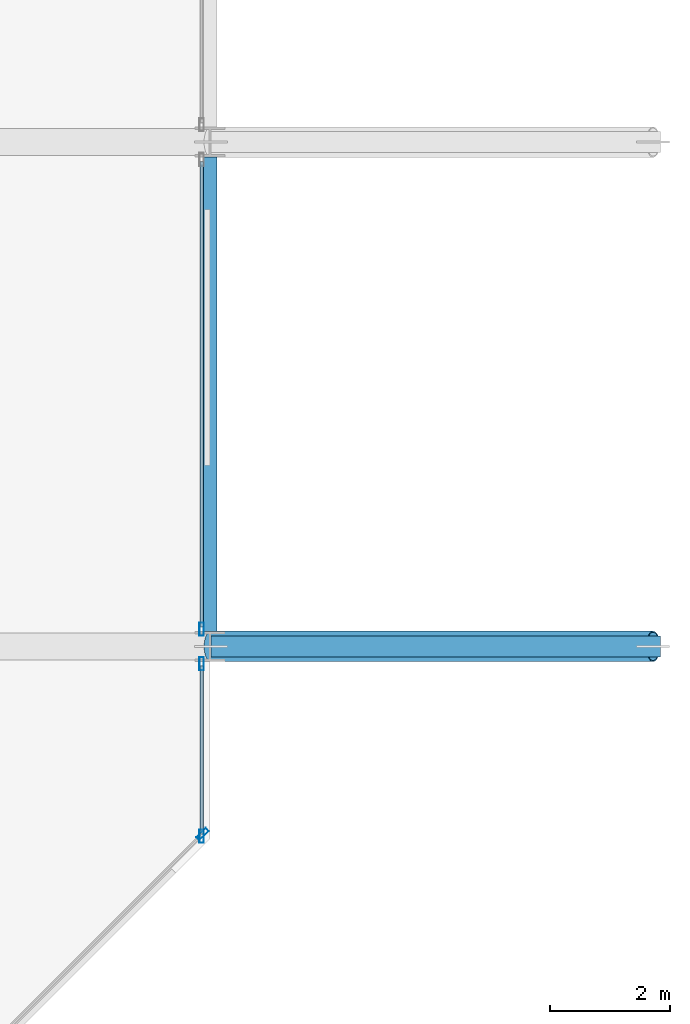
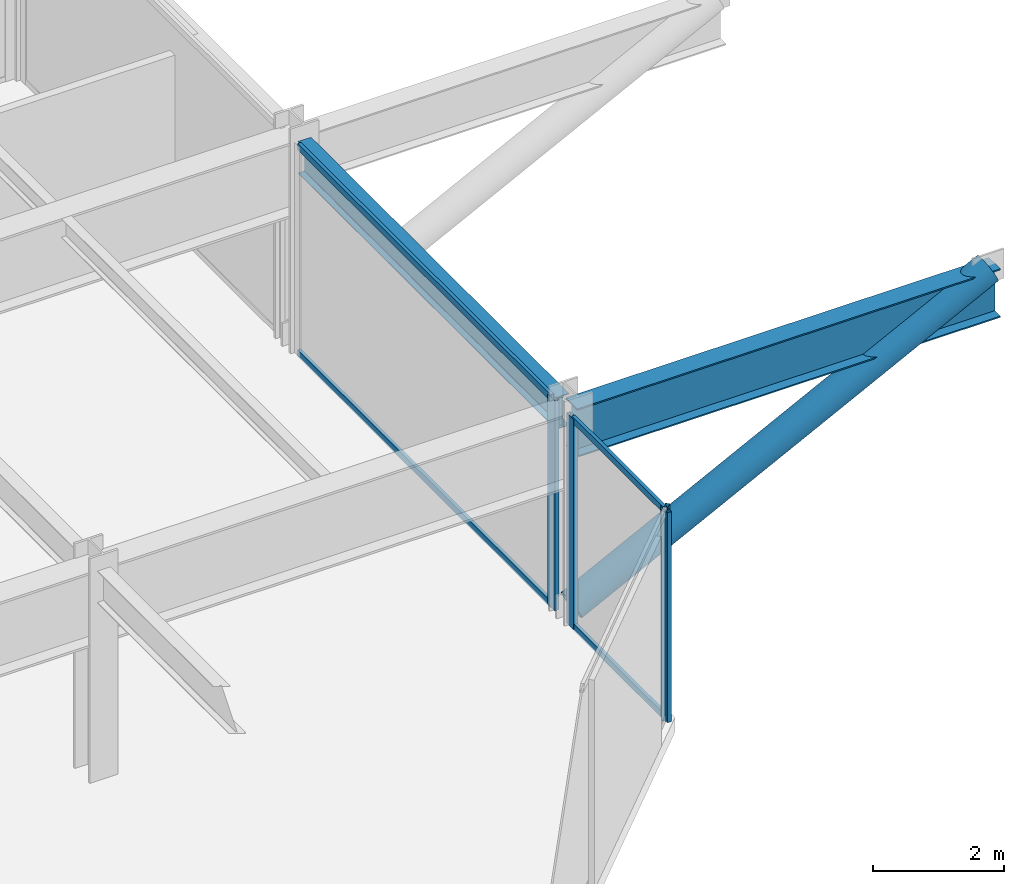
# One storey, part 11 of 25: 9 members, 2 beams, 3 elements without a shape of their own.
"""IFC4 building model written with IfcOpenShell, lengths in metres."""

from ifc_helpers import new_model, si_unit, direction, frame, origin, origin_2d, place, context, subcontext, project, spatial, hollow_rectangle, hollow_circle, i_section, extrude, material, layer, layer_set, material_profile, profile_set, type_object, element, aggregate, save


model = new_model("IFC4")

# Units and contexts
model_context = context("Model", 3, precision=1e-05, world=origin(), true_north=direction((0.0, 1.0)))
body_context = subcontext(model_context, "Body", "Model", "MODEL_VIEW")
ifc_project = project(units=[si_unit("LENGTHUNIT", "METRE"), si_unit("AREAUNIT", "SQUARE_METRE"), si_unit("VOLUMEUNIT", "CUBIC_METRE"), si_unit("PLANEANGLEUNIT", "RADIAN"), si_unit("MASSUNIT", "GRAM", prefix="KILO")], contexts=[model_context])

# Site, building, storey
site_placement = place(None, origin())
site = spatial("IfcSite", under=ifc_project, at=site_placement, CompositionType="ELEMENT")
building_placement = place(site_placement, origin())
building = spatial("IfcBuilding", under=site, at=building_placement, Name="Nerrivon Quay Data Exchange", CompositionType="ELEMENT")
storey_placement = place(building_placement, frame((0.0, 0.0, 58.39990234375)))
storey = spatial("IfcBuildingStorey", under=building, at=storey_placement, Name="L13", CompositionType="ELEMENT", Elevation=58.39990234375)

# Beams
ifc_material_1 = material(Name="Steel Grade 350", Category="steel")
ifc_material_profile_1 = material_profile(ifc_material_1, i_section(OverallWidth=0.35009765625, OverallDepth=0.909912109375, WebThickness=0.011962890625, FlangeThickness=0.02490234375, at=origin_2d()), Name="900WB218")
ifc_profile_set_1 = profile_set([ifc_material_profile_1], Name="Steel Grade 350")
beam_type_1 = type_object("IfcBeamType", Name="BM-CANT-900WB", PredefinedType="USERDEFINED", material=ifc_profile_set_1)
beam_1_placement = place(storey_placement, frame((50.4140625, 8.39990234375, 3.47021484375), z_axis=(1.0, 0.0, 0.0), x_axis=(0.0, 1.0, 0.0)))
element("IfcBeam", 1, at=beam_1_placement, inside=storey, type_object=beam_type_1, Name="L13 East Hooked Base Cantilever Girder Y=8.4", ObjectType="TRANSFER", PredefinedType="USERDEFINED", context=body_context, shape_type="SweptSolid", body=[
    extrude(i_section(OverallWidth=0.35009765625, OverallDepth=0.909912109375, WebThickness=0.011962890625, FlangeThickness=0.02490234375, at=origin_2d()), origin(), (0.0, 0.0, 1.0), 7.48583984375),
])
ifc_material_profile_2 = material_profile(ifc_material_1, i_section(OverallWidth=0.22802734375, OverallDepth=0.60205078125, WebThickness=0.010498046875, FlangeThickness=0.014892578125, FilletRadius=0.013916015625, at=origin_2d()), Name="610UB101")
ifc_profile_set_2 = profile_set([ifc_material_profile_2], Name="Steel Grade 350")
beam_type_2 = type_object("IfcBeamType", Name="BM-G2-610UB101", PredefinedType="BEAM", material=ifc_profile_set_2)
beam_2_placement = place(storey_placement, frame((50.39990234375, 8.64990234375, 3.6240234375), z_axis=(0.0, 1.0, 0.0), x_axis=(-1.0, 0.0, 0.0)))
element("IfcBeam", 2, at=beam_2_placement, inside=storey, type_object=beam_type_2, Name="L13 NS Girder X=50.4 (8.4..16.8)", PredefinedType="BEAM", context=body_context, shape_type="SweptSolid", body=[
    extrude(i_section(OverallWidth=0.22802734375, OverallDepth=0.60205078125, WebThickness=0.010498046875, FlangeThickness=0.014892578125, FilletRadius=0.013916015625, at=origin_2d()), origin(), (0.0, 0.0, 1.0), 7.900146484375),
])

# Curtain wall, member
ifc_material_2 = material(Name="Anodised aluminium 6063-T6", Category="aluminium")
ifc_layer = layer(ifc_material_2, 0.219970703125)
ifc_layer_set = layer_set([ifc_layer], Name="Anodised aluminium 6063-T6")
curtain_wall_type = type_object("IfcCurtainWallType", Name="CW-SYS-01", PredefinedType="NOTDEFINED", material=ifc_layer_set)
curtain_wall_1_placement = place(storey_placement, origin())
curtain_wall_1 = element("IfcCurtainWall", 3, at=curtain_wall_1_placement, inside=storey, type_object=curtain_wall_type, Name="L13 Unitised Curtain Wall 1", PredefinedType="NOTDEFINED")
ifc_material_profile_3 = material_profile(ifc_material_2, hollow_rectangle(XDim=0.074951171875, YDim=0.219970703125, WallThickness=0.00390625, at=origin_2d()), Name="ALU-MULL-220x75")
ifc_profile_set_3 = profile_set([ifc_material_profile_3], Name="Anodised aluminium 6063-T6")
member_type_1 = type_object("IfcMemberType", Name="CWM-220x75", PredefinedType="MULLION", material=ifc_profile_set_3)
member_1_placement = place(storey_placement, frame((50.2744140625, 5.2724609375, 0.0), z_axis=(0.0, 0.0, 1.0), x_axis=(0.707106781187, -0.707106781187, 0.0)))
member_1 = element("IfcMember", 4, at=member_1_placement, type_object=member_type_1, Name="CW01 mullion 1", PredefinedType="MULLION", context=body_context, shape_type="SweptSolid", body=[
    extrude(hollow_rectangle(XDim=0.074951171875, YDim=0.219970703125, WallThickness=0.00390625, at=origin_2d()), origin(), (0.0, 0.0, 1.0), 3.925048828125),
])
aggregate(curtain_wall_1, [member_1])

curtain_wall_2_placement = place(storey_placement, origin())
curtain_wall_2 = element("IfcCurtainWall", 5, at=curtain_wall_2_placement, inside=storey, type_object=curtain_wall_type, Name="L13 Unitised Curtain Wall 32", PredefinedType="NOTDEFINED")
member_2_placement = place(storey_placement, frame((50.260009765625, 8.6875, 0.0), z_axis=(0.0, 0.0, 1.0), x_axis=(1.0, 0.0, 0.0)))
member_2 = element("IfcMember", 6, at=member_2_placement, type_object=member_type_1, Name="CW01 mullion 2", PredefinedType="MULLION", context=body_context, shape_type="SweptSolid", body=[
    extrude(hollow_rectangle(XDim=0.074951171875, YDim=0.219970703125, WallThickness=0.00390625, at=origin_2d()), origin(), (0.0, 0.0, 1.0), 3.925048828125),
])

# Curtain wall, members
curtain_wall_3_placement = place(storey_placement, origin())
curtain_wall_3 = element("IfcCurtainWall", 7, at=curtain_wall_3_placement, inside=storey, type_object=curtain_wall_type, Name="L13 Unitised Curtain Wall 33", PredefinedType="NOTDEFINED")
member_3_placement = place(storey_placement, frame((50.260009765625, 8.112548828125, 0.0), z_axis=(0.0, 0.0, 1.0), x_axis=(1.0, 0.0, 0.0)))
member_3 = element("IfcMember", 8, at=member_3_placement, type_object=member_type_1, Name="CW01 mullion 1", PredefinedType="MULLION", context=body_context, shape_type="SweptSolid", body=[
    extrude(hollow_rectangle(XDim=0.074951171875, YDim=0.219970703125, WallThickness=0.00390625, at=origin_2d()), origin(), (0.0, 0.0, 1.0), 3.925048828125),
])
member_4_placement = place(storey_placement, frame((50.260009765625, 5.237548828125, 0.0), z_axis=(0.0, 0.0, 1.0), x_axis=(1.0, 0.0, 0.0)))
member_4 = element("IfcMember", 9, at=member_4_placement, type_object=member_type_1, Name="CW01 mullion 2", PredefinedType="MULLION", context=body_context, shape_type="SweptSolid", body=[
    extrude(hollow_rectangle(XDim=0.074951171875, YDim=0.219970703125, WallThickness=0.00390625, at=origin_2d()), origin(), (0.0, 0.0, 1.0), 3.925048828125),
])

# Member
ifc_material_profile_4 = material_profile(ifc_material_2, hollow_rectangle(XDim=0.06005859375, YDim=0.1201171875, WallThickness=0.003173828125, at=origin_2d()), Name="ALU-TRAN-120x60")
ifc_profile_set_4 = profile_set([ifc_material_profile_4], Name="Anodised aluminium 6063-T6")
member_type_2 = type_object("IfcMemberType", Name="CWT-120x60", PredefinedType="USERDEFINED", material=ifc_profile_set_4)
member_5_placement = place(storey_placement, frame((50.260009765625, 16.47509765625, 0.03271484375), z_axis=(0.0, -1.0, 0.0), x_axis=(1.0, 0.0, 0.0)))
member_5 = element("IfcMember", 10, at=member_5_placement, type_object=member_type_2, Name="CW01 transom 1.1", ObjectType="TRANSOM", PredefinedType="USERDEFINED", context=body_context, shape_type="SweptSolid", body=[
    extrude(hollow_rectangle(XDim=0.06005859375, YDim=0.1201171875, WallThickness=0.003173828125, at=origin_2d()), origin(), (0.0, 0.0, 1.0), 7.75),
])

member_6_placement = place(storey_placement, frame((50.260009765625, 16.47509765625, 3.892578125), z_axis=(0.0, -1.0, 0.0), x_axis=(1.0, 0.0, 0.0)))
member_6 = element("IfcMember", 11, at=member_6_placement, type_object=member_type_2, Name="CW01 transom 1.2", ObjectType="TRANSOM", PredefinedType="USERDEFINED", context=body_context, shape_type="SweptSolid", body=[
    extrude(hollow_rectangle(XDim=0.06005859375, YDim=0.1201171875, WallThickness=0.003173828125, at=origin_2d()), origin(), (0.0, 0.0, 1.0), 7.75),
])

aggregate(curtain_wall_2, [member_2, member_5, member_6])

member_7_placement = place(storey_placement, frame((50.260009765625, 8.074951171875, 0.03271484375), z_axis=(0.0, -1.0, 0.0), x_axis=(1.0, 0.0, 0.0)))
member_7 = element("IfcMember", 12, at=member_7_placement, type_object=member_type_2, Name="CW01 transom 1.1", ObjectType="TRANSOM", PredefinedType="USERDEFINED", context=body_context, shape_type="SweptSolid", body=[
    extrude(hollow_rectangle(XDim=0.06005859375, YDim=0.1201171875, WallThickness=0.003173828125, at=origin_2d()), origin(), (0.0, 0.0, 1.0), 2.800048828125),
])

member_8_placement = place(storey_placement, frame((50.260009765625, 8.074951171875, 3.892578125), z_axis=(0.0, -1.0, 0.0), x_axis=(1.0, 0.0, 0.0)))
member_8 = element("IfcMember", 13, at=member_8_placement, type_object=member_type_2, Name="CW01 transom 1.2", ObjectType="TRANSOM", PredefinedType="USERDEFINED", context=body_context, shape_type="SweptSolid", body=[
    extrude(hollow_rectangle(XDim=0.06005859375, YDim=0.1201171875, WallThickness=0.003173828125, at=origin_2d()), origin(), (0.0, 0.0, 1.0), 2.800048828125),
])

aggregate(curtain_wall_3, [member_3, member_4, member_7, member_8])

ifc_material_3 = material(Name="Steel Grade C350L0 (350 MPa)", Category="steel")
ifc_material_profile_5 = material_profile(ifc_material_3, hollow_circle(Radius=0.25390625, WallThickness=0.02001953125, at=origin_2d()), Name="508.0x20.0CHS")
ifc_profile_set_5 = profile_set([ifc_material_profile_5], Name="Steel Grade C350L0 (350 MPa)")
member_type_3 = type_object("IfcMemberType", Name="MEM-OB2-508CHS", PredefinedType="BRACE", material=ifc_profile_set_5)
member_9_placement = place(storey_placement, frame((50.4140625, 8.39990234375, 0.150146484375), z_axis=(0.892388954537, 0.0, 0.451267053772), x_axis=(0.0, 1.0, 0.0)))
element("IfcMember", 14, at=member_9_placement, inside=storey, type_object=member_type_3, Name="L13 structural brace BR-L13-EHOOK-084", PredefinedType="BRACE", context=body_context, shape_type="SweptSolid", body=[
    extrude(hollow_circle(Radius=0.25390625, WallThickness=0.02001953125, at=origin_2d()), origin(), (0.0, 0.0, 1.0), 8.254150390625),
])

save(model, "model.ifc")
